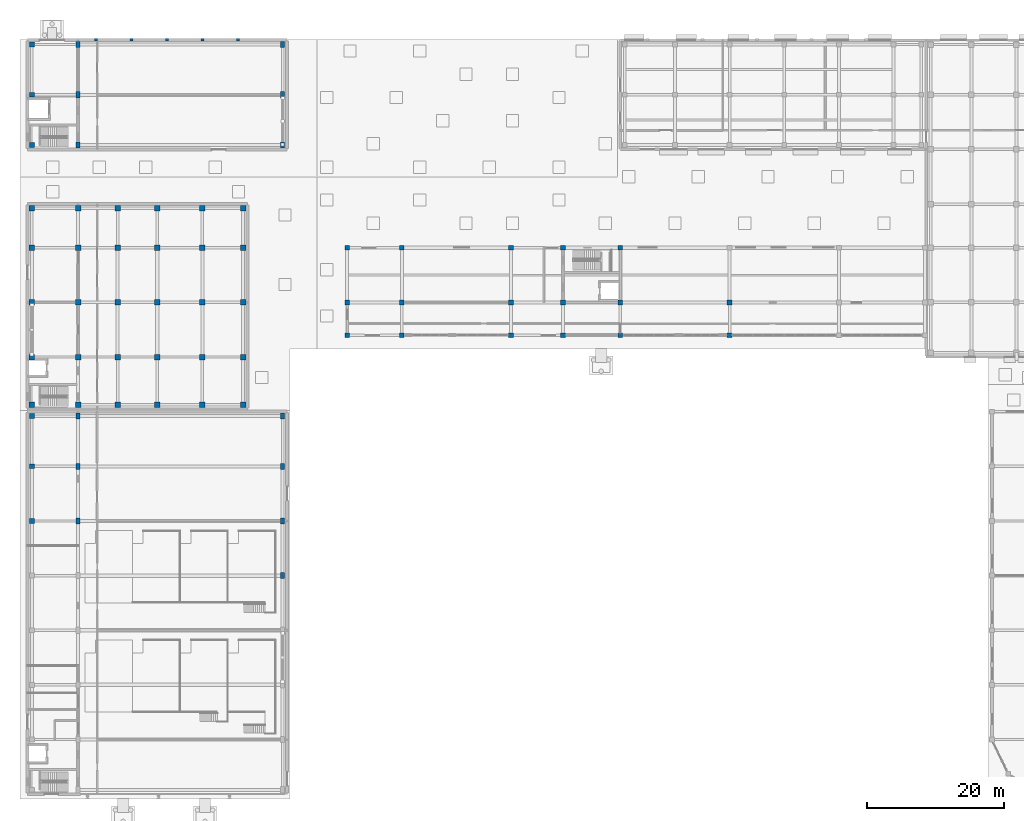
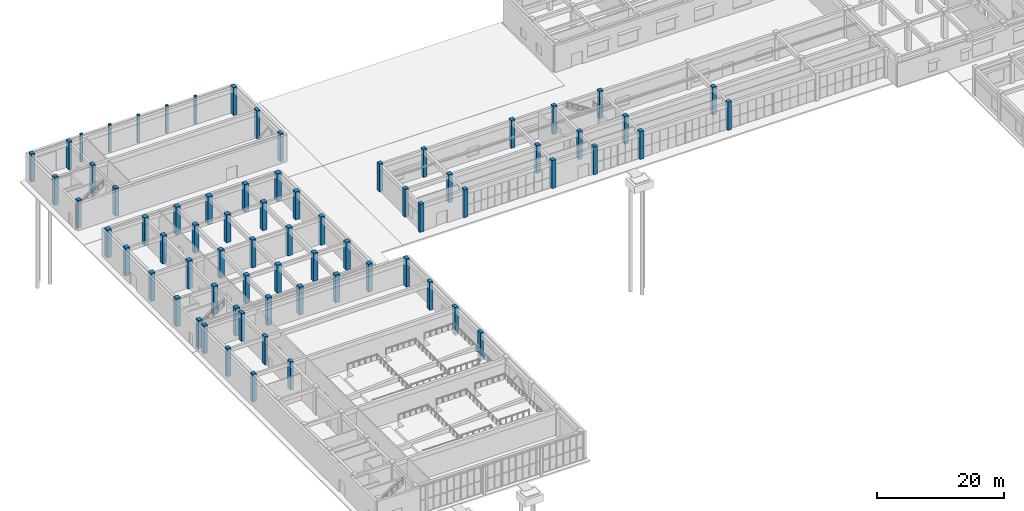
# One storey, part 3 of 46: 71 columns.
"""IFC4 building model written with IfcOpenShell, lengths in metres."""

from ifc_helpers import new_model, si_unit, direction, frame, origin, origin_2d, place, context, subcontext, project, spatial, rectangle, extrude, material, material_profile, profile_set, type_object, element, save


model = new_model("IFC4")

# Units and contexts
model_context = context("Model", 3, precision=1e-05, world=origin(), true_north=direction((0.0, 1.0)))
body_context = subcontext(model_context, "Body", "Model", "MODEL_VIEW")
ifc_project = project(units=[si_unit("LENGTHUNIT", "METRE"), si_unit("AREAUNIT", "SQUARE_METRE"), si_unit("VOLUMEUNIT", "CUBIC_METRE"), si_unit("PLANEANGLEUNIT", "RADIAN"), si_unit("MASSUNIT", "GRAM", prefix="KILO")], contexts=[model_context])

# Site, building, storey
site_placement = place(None, origin())
site = spatial("IfcSite", under=ifc_project, at=site_placement, CompositionType="ELEMENT")
building_placement = place(site_placement, origin())
building = spatial("IfcBuilding", under=site, at=building_placement, Name="Cinchona Park Media Centre", CompositionType="ELEMENT")
storey_placement = place(building_placement, origin())
storey = spatial("IfcBuildingStorey", under=building, at=storey_placement, Name="L00", CompositionType="ELEMENT", Elevation=0.0)

# Columns
ifc_material_1 = material(Name="Concrete C40/50", Category="concrete")
ifc_material_profile_1 = material_profile(ifc_material_1, rectangle(XDim=0.800048828125, YDim=0.800048828125, at=origin_2d()), Name="RC 800X800")
ifc_profile_set_1 = profile_set([ifc_material_profile_1], Name="Concrete C40/50")
column_type_1 = type_object("IfcColumnType", Name="COL-C01-RC800X800", PredefinedType="COLUMN", material=ifc_profile_set_1)
for number, where, z_axis, x_axis, name in (
    (1, (8.639892578125, 64.639892578125, 0.0), (0.0, 0.0, 1.0), (1.0, 0.0, 0.0), "Column C01 L00"),
    (2, (8.639892578125, 71.60009765625, 0.0), (0.0, 0.0, 1.0), (1.0, 0.0, 0.0), "Column C01 L00"),
    (3, (8.639892578125, 79.60009765625, 0.0), (0.0, 0.0, 1.0), (1.0, 0.0, 0.0), "Column C01 L00"),
    (4, (8.639892578125, 87.60009765625, 0.0), (0.0, 0.0, 1.0), (1.0, 0.0, 0.0), "Column C01 L00"),
    (5, (8.639892578125, 93.360107421875, 0.0), (0.0, 0.0, 1.0), (1.0, 0.0, 0.0), "Column C01 L00"),
    (6, (15.39990234375, 64.639892578125, 0.0), (0.0, 0.0, 1.0), (1.0, 0.0, 0.0), "Column C01 L00"),
    (7, (15.39990234375, 71.60009765625, 0.0), (0.0, 0.0, 1.0), (1.0, 0.0, 0.0), "Column C01 L00"),
    (8, (15.39990234375, 79.60009765625, 0.0), (0.0, 0.0, 1.0), (1.0, 0.0, 0.0), "Column C01 L00"),
    (9, (15.39990234375, 87.60009765625, 0.0), (0.0, 0.0, 1.0), (1.0, 0.0, 0.0), "Column C01 L00"),
    (10, (15.39990234375, 93.360107421875, 0.0), (0.0, 0.0, 1.0), (1.0, 0.0, 0.0), "Column C01 L00"),
    (11, (21.199951171875, 64.639892578125, 0.0), (0.0, 0.0, 1.0), (1.0, 0.0, 0.0), "Column C01 L00"),
    (12, (21.199951171875, 71.60009765625, 0.0), (0.0, 0.0, 1.0), (1.0, 0.0, 0.0), "Column C01 L00"),
    (13, (21.199951171875, 79.60009765625, 0.0), (0.0, 0.0, 1.0), (1.0, 0.0, 0.0), "Column C01 L00"),
    (14, (21.199951171875, 87.60009765625, 0.0), (0.0, 0.0, 1.0), (1.0, 0.0, 0.0), "Column C01 L00"),
    (15, (21.199951171875, 93.360107421875, 0.0), (0.0, 0.0, 1.0), (1.0, 0.0, 0.0), "Column C01 L00"),
    (16, (27.0, 64.639892578125, 0.0), (0.0, 0.0, 1.0), (1.0, 0.0, 0.0), "Column C01 L00"),
    (17, (27.0, 71.60009765625, 0.0), (0.0, 0.0, 1.0), (1.0, 0.0, 0.0), "Column C01 L00"),
    (18, (27.0, 79.60009765625, 0.0), (0.0, 0.0, 1.0), (1.0, 0.0, 0.0), "Column C01 L00"),
    (19, (27.0, 87.60009765625, 0.0), (0.0, 0.0, 1.0), (1.0, 0.0, 0.0), "Column C01 L00"),
    (20, (27.0, 93.360107421875, 0.0), (0.0, 0.0, 1.0), (1.0, 0.0, 0.0), "Column C01 L00"),
    (21, (33.60009765625, 64.639892578125, 0.0), (0.0, 0.0, 1.0), (1.0, 0.0, 0.0), "Column C01 L00"),
    (22, (33.60009765625, 71.60009765625, 0.0), (0.0, 0.0, 1.0), (1.0, 0.0, 0.0), "Column C01 L00"),
    (23, (33.60009765625, 79.60009765625, 0.0), (0.0, 0.0, 1.0), (1.0, 0.0, 0.0), "Column C01 L00"),
    (24, (33.60009765625, 87.60009765625, 0.0), (0.0, 0.0, 1.0), (1.0, 0.0, 0.0), "Column C01 L00"),
    (25, (33.60009765625, 93.360107421875, 0.0), (0.0, 0.0, 1.0), (1.0, 0.0, 0.0), "Column C01 L00"),
    (26, (39.56005859375, 64.639892578125, 0.0), (0.0, 0.0, 1.0), (1.0, 0.0, 0.0), "Column C01 L00"),
    (27, (39.56005859375, 71.60009765625, 0.0), (0.0, 0.0, 1.0), (1.0, 0.0, 0.0), "Column C01 L00"),
    (28, (39.56005859375, 79.60009765625, 0.0), (0.0, 0.0, 1.0), (1.0, 0.0, 0.0), "Column C01 L00"),
    (29, (39.56005859375, 87.60009765625, 0.0), (0.0, 0.0, 1.0), (1.0, 0.0, 0.0), "Column C01 L00"),
    (30, (39.56005859375, 93.360107421875, 0.0), (0.0, 0.0, 1.0), (1.0, 0.0, 0.0), "Column C01 L00"),
):
    element("IfcColumn", number, at=place(storey_placement, frame(where, z_axis=z_axis, x_axis=x_axis)), inside=storey, type_object=column_type_1, Name=name, PredefinedType="COLUMN", context=body_context, shape_type="SweptSolid", body=[
        extrude(rectangle(XDim=0.800048828125, YDim=0.800048828125, at=origin_2d()), origin(), (0.0, 0.0, 1.0), 5.39990234375),
    ])
ifc_material_2 = material(Name="Concrete C40/50", Category="concrete")
ifc_material_profile_2 = material_profile(ifc_material_2, rectangle(XDim=0.699951171875, YDim=0.699951171875, at=origin_2d()), Name="RC 700X700")
ifc_profile_set_2 = profile_set([ifc_material_profile_2], Name="Concrete C40/50")
column_type_2 = type_object("IfcColumnType", Name="COL-C02-RC700X700", PredefinedType="COLUMN", material=ifc_profile_set_2)
for number, where, z_axis, x_axis, name in (
    (31, (8.639892578125, 47.60009765625, 0.0), (0.0, 0.0, 1.0), (1.0, 0.0, 0.0), "Column C02 L00"),
    (32, (8.639892578125, 55.60009765625, 0.0), (0.0, 0.0, 1.0), (1.0, 0.0, 0.0), "Column C02 L00"),
    (33, (8.639892578125, 62.9599609375, 0.0), (0.0, 0.0, 1.0), (1.0, 0.0, 0.0), "Column C02 L00"),
    (34, (8.639892578125, 102.639892578125, 0.0), (0.0, 0.0, 1.0), (1.0, 0.0, 0.0), "Column C02 L00"),
    (35, (8.639892578125, 110.0, 0.0), (0.0, 0.0, 1.0), (1.0, 0.0, 0.0), "Column C02 L00"),
    (36, (8.639892578125, 117.360107421875, 0.0), (0.0, 0.0, 1.0), (1.0, 0.0, 0.0), "Column C02 L00"),
    (37, (54.800048828125, 74.800048828125, 0.0), (0.0, 0.0, 1.0), (1.0, 0.0, 0.0), "Column C02 L00"),
    (38, (54.800048828125, 79.60009765625, 0.0), (0.0, 0.0, 1.0), (1.0, 0.0, 0.0), "Column C02 L00"),
    (39, (54.800048828125, 87.60009765625, 0.0), (0.0, 0.0, 1.0), (1.0, 0.0, 0.0), "Column C02 L00"),
    (40, (62.800048828125, 74.800048828125, 0.0), (0.0, 0.0, 1.0), (1.0, 0.0, 0.0), "Column C02 L00"),
    (41, (62.800048828125, 79.60009765625, 0.0), (0.0, 0.0, 1.0), (1.0, 0.0, 0.0), "Column C02 L00"),
    (42, (62.800048828125, 87.60009765625, 0.0), (0.0, 0.0, 1.0), (1.0, 0.0, 0.0), "Column C02 L00"),
    (43, (78.800048828125, 74.800048828125, 0.0), (0.0, 0.0, 1.0), (1.0, 0.0, 0.0), "Column C02 L00"),
    (44, (78.800048828125, 79.60009765625, 0.0), (0.0, 0.0, 1.0), (1.0, 0.0, 0.0), "Column C02 L00"),
    (45, (78.800048828125, 87.60009765625, 0.0), (0.0, 0.0, 1.0), (1.0, 0.0, 0.0), "Column C02 L00"),
    (46, (86.39990234375, 74.800048828125, 0.0), (0.0, 0.0, 1.0), (1.0, 0.0, 0.0), "Column C02 L00"),
    (47, (86.39990234375, 79.60009765625, 0.0), (0.0, 0.0, 1.0), (1.0, 0.0, 0.0), "Column C02 L00"),
    (48, (86.39990234375, 87.60009765625, 0.0), (0.0, 0.0, 1.0), (1.0, 0.0, 0.0), "Column C02 L00"),
    (49, (94.800048828125, 74.800048828125, 0.0), (0.0, 0.0, 1.0), (1.0, 0.0, 0.0), "Column C02 L00"),
    (50, (94.800048828125, 79.60009765625, 0.0), (0.0, 0.0, 1.0), (1.0, 0.0, 0.0), "Column C02 L00"),
    (51, (94.800048828125, 87.60009765625, 0.0), (0.0, 0.0, 1.0), (1.0, 0.0, 0.0), "Column C02 L00"),
    (52, (110.800048828125, 74.800048828125, 0.0), (0.0, 0.0, 1.0), (1.0, 0.0, 0.0), "Column C02 L00"),
    (53, (110.800048828125, 79.60009765625, 0.0), (0.0, 0.0, 1.0), (1.0, 0.0, 0.0), "Column C02 L00"),
):
    element("IfcColumn", number, at=place(storey_placement, frame(where, z_axis=z_axis, x_axis=x_axis)), inside=storey, type_object=column_type_2, Name=name, PredefinedType="COLUMN", context=body_context, shape_type="SweptSolid", body=[
        extrude(rectangle(XDim=0.699951171875, YDim=0.699951171875, at=origin_2d()), origin(), (0.0, 0.0, 1.0), 5.39990234375),
    ])
ifc_material_3 = material(Name="Concrete C40/50", Category="concrete")
ifc_material_profile_3 = material_profile(ifc_material_3, rectangle(XDim=0.60009765625, YDim=0.89990234375, at=origin_2d()), Name="RC 600X900")
ifc_profile_set_3 = profile_set([ifc_material_profile_3], Name="Concrete C40/50")
column_type_3 = type_object("IfcColumnType", Name="COL-C05-RC600X900", PredefinedType="COLUMN", material=ifc_profile_set_3)
for number, where, z_axis, x_axis, name in (
    (54, (15.39990234375, 47.60009765625, 0.0), (0.0, 0.0, 1.0), (1.0, 0.0, 0.0), "Column C05 L00"),
    (55, (15.39990234375, 55.60009765625, 0.0), (0.0, 0.0, 1.0), (1.0, 0.0, 0.0), "Column C05 L00"),
    (56, (15.39990234375, 62.9599609375, 0.0), (0.0, 0.0, 1.0), (1.0, 0.0, 0.0), "Column C05 L00"),
    (57, (45.360107421875, 39.60009765625, 0.0), (0.0, 0.0, 1.0), (1.0, 0.0, 0.0), "Column C05 L00"),
    (58, (45.360107421875, 47.60009765625, 0.0), (0.0, 0.0, 1.0), (1.0, 0.0, 0.0), "Column C05 L00"),
    (59, (45.360107421875, 55.60009765625, 0.0), (0.0, 0.0, 1.0), (1.0, 0.0, 0.0), "Column C05 L00"),
    (60, (45.360107421875, 62.9599609375, 0.0), (0.0, 0.0, 1.0), (1.0, 0.0, 0.0), "Column C05 L00"),
    (61, (15.39990234375, 102.639892578125, 0.0), (0.0, 0.0, 1.0), (1.0, 0.0, 0.0), "Column C05 L00"),
    (62, (15.39990234375, 110.0, 0.0), (0.0, 0.0, 1.0), (1.0, 0.0, 0.0), "Column C05 L00"),
    (63, (15.39990234375, 117.360107421875, 0.0), (0.0, 0.0, 1.0), (1.0, 0.0, 0.0), "Column C05 L00"),
    (64, (45.360107421875, 102.639892578125, 0.0), (0.0, 0.0, 1.0), (1.0, 0.0, 0.0), "Column C05 L00"),
    (65, (45.360107421875, 110.0, 0.0), (0.0, 0.0, 1.0), (1.0, 0.0, 0.0), "Column C05 L00"),
    (66, (45.360107421875, 117.360107421875, 0.0), (0.0, 0.0, 1.0), (1.0, 0.0, 0.0), "Column C05 L00"),
):
    element("IfcColumn", number, at=place(storey_placement, frame(where, z_axis=z_axis, x_axis=x_axis)), inside=storey, type_object=column_type_3, Name=name, PredefinedType="COLUMN", context=body_context, shape_type="SweptSolid", body=[
        extrude(rectangle(XDim=0.60009765625, YDim=0.89990234375, at=origin_2d()), origin(), (0.0, 0.0, 1.0), 5.39990234375),
    ])
ifc_material_4 = material(Name="Concrete C40/50", Category="concrete")
ifc_material_profile_4 = material_profile(ifc_material_4, rectangle(XDim=0.35009765625, YDim=0.449951171875, at=origin_2d()), Name="RC 350X450")
ifc_profile_set_4 = profile_set([ifc_material_profile_4], Name="Concrete C40/50")
column_type_4 = type_object("IfcColumnType", Name="COL-CP01-RC350X450", PredefinedType="PILASTER", material=ifc_profile_set_4)
for number, where, z_axis, x_axis, name in (
    (67, (18.0, 118.080078125, 0.0), (0.0, 0.0, 1.0), (0.0, 1.0, 0.0), "Pilaster CP01 L00"),
    (68, (23.199951171875, 118.080078125, 0.0), (0.0, 0.0, 1.0), (0.0, 1.0, 0.0), "Pilaster CP01 L00"),
    (69, (28.39990234375, 118.080078125, 0.0), (0.0, 0.0, 1.0), (0.0, 1.0, 0.0), "Pilaster CP01 L00"),
    (70, (33.60009765625, 118.080078125, 0.0), (0.0, 0.0, 1.0), (0.0, 1.0, 0.0), "Pilaster CP01 L00"),
    (71, (38.800048828125, 118.080078125, 0.0), (0.0, 0.0, 1.0), (0.0, 1.0, 0.0), "Pilaster CP01 L00"),
):
    element("IfcColumn", number, at=place(storey_placement, frame(where, z_axis=z_axis, x_axis=x_axis)), inside=storey, type_object=column_type_4, Name=name, PredefinedType="PILASTER", context=body_context, shape_type="SweptSolid", body=[
        extrude(rectangle(XDim=0.35009765625, YDim=0.449951171875, at=origin_2d()), origin(), (0.0, 0.0, 1.0), 5.39990234375),
    ])

save(model, "model.ifc")
